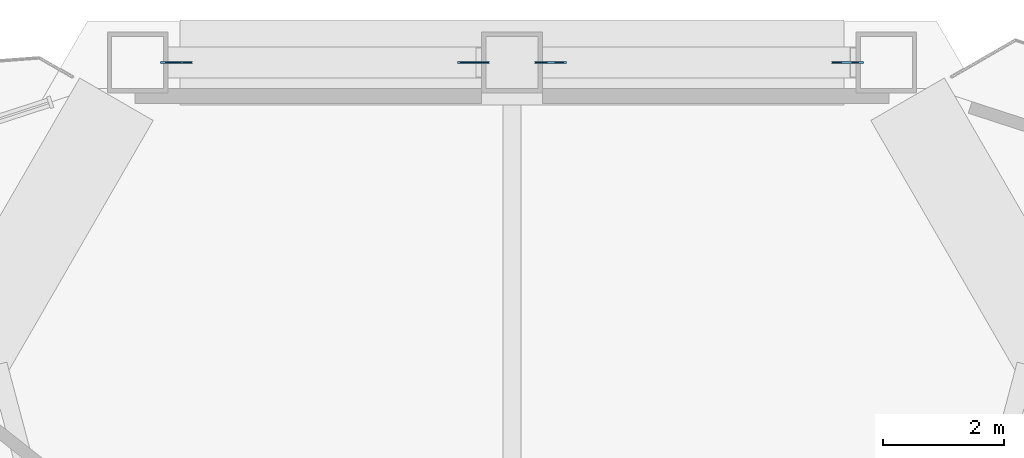
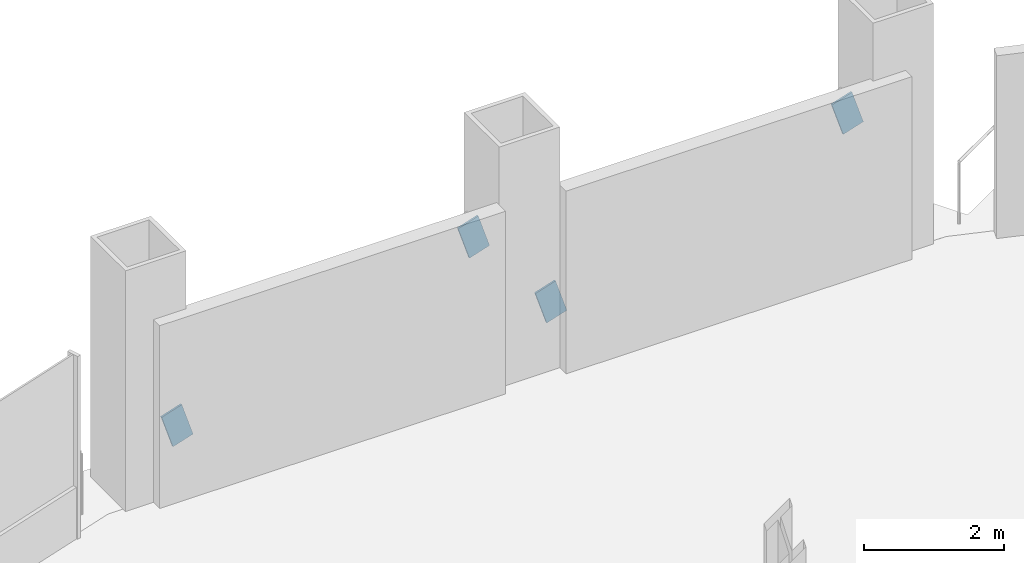
# One storey, part 16 of 22: 4 discrete accessories.
"""IFC4 building model written with IfcOpenShell, lengths in metres."""

from ifc_helpers import new_model, si_unit, direction, frame, origin, origin_2d, place, context, subcontext, project, spatial, rectangle, extrude, material, material_profile, profile_set, type_object, element, save


model = new_model("IFC4")

# Units and contexts
model_context = context("Model", 3, precision=1e-05, world=origin(), true_north=direction((0.0, 1.0)))
body_context = subcontext(model_context, "Body", "Model", "MODEL_VIEW")
ifc_project = project(units=[si_unit("LENGTHUNIT", "METRE"), si_unit("AREAUNIT", "SQUARE_METRE"), si_unit("VOLUMEUNIT", "CUBIC_METRE"), si_unit("PLANEANGLEUNIT", "RADIAN"), si_unit("MASSUNIT", "GRAM", prefix="KILO")], contexts=[model_context])

# Site, building, storey
site_placement = place(None, origin())
site = spatial("IfcSite", under=ifc_project, at=site_placement, CompositionType="ELEMENT")
building_placement = place(site_placement, origin())
building = spatial("IfcBuilding", under=site, at=building_placement, Name="Cormorant Prow Tower", CompositionType="ELEMENT")
storey_placement = place(building_placement, frame((0.0, 0.0, 30.0)))
storey = spatial("IfcBuildingStorey", under=building, at=storey_placement, Name="L05", CompositionType="ELEMENT", Elevation=30.0)

# Discrete accessories
ifc_material = material(Name="Structural steel ASTM A500 Gr C", Category="steel")
ifc_material_profile = material_profile(ifc_material, rectangle(XDim=0.031982421875, YDim=0.60791015625, at=origin_2d()), Name="Gusset plate 32x608")
ifc_profile_set = profile_set([ifc_material_profile], Name="Structural steel ASTM A500 Gr C")
discrete_accessory_type = type_object("IfcDiscreteAccessoryType", Name="Gusset plate 32x608", PredefinedType="BRACKET", material=ifc_profile_set)
for number, where, z_axis, x_axis, name in (
    (1, (0.80419921875, 32.233642578125, 0.859375), (-0.951708617761, 0.0, -0.307002779923), (0.0, -1.0, 0.0), "Gusset plate GP1 L05.N00.g0"),
    (2, (5.365478515625, 32.233642578125, 2.32958984375), (0.951708617761, 0.0, 0.307002779923), (0.0, 1.0, 0.0), "Gusset plate GP1 L05.N00.g1"),
    (3, (-5.365478515625, 32.233642578125, 0.859375), (-0.951708617761, 0.0, -0.307002779923), (0.0, -1.0, 0.0), "Gusset plate GP1 L05.N01.g0"),
    (4, (-0.80419921875, 32.233642578125, 2.32958984375), (0.951708617761, 0.0, 0.307002779923), (0.0, 1.0, 0.0), "Gusset plate GP1 L05.N01.g1"),
):
    element("IfcDiscreteAccessory", number, at=place(storey_placement, frame(where, z_axis=z_axis, x_axis=x_axis)), inside=storey, type_object=discrete_accessory_type, Name=name, PredefinedType="BRACKET", context=body_context, shape_type="SweptSolid", body=[
        extrude(rectangle(XDim=0.031982421875, YDim=0.60791015625, at=origin_2d()), origin(), (0.0, 0.0, 1.0), 0.349853515625),
    ])

save(model, "model.ifc")
